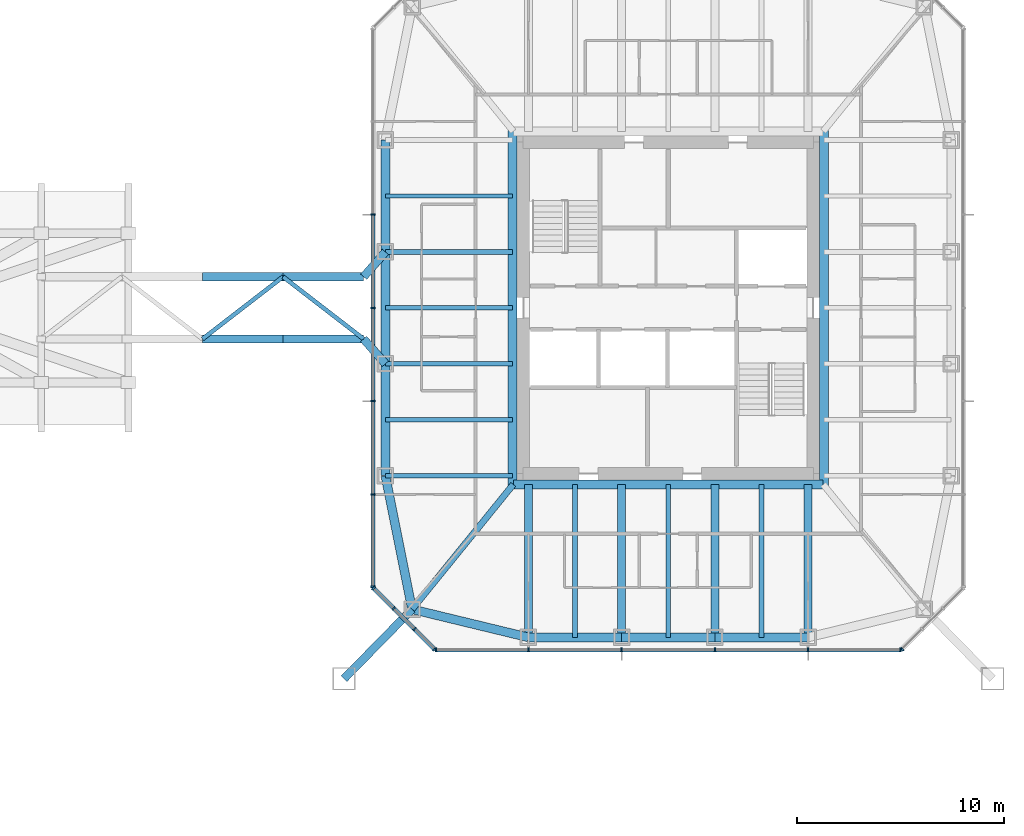
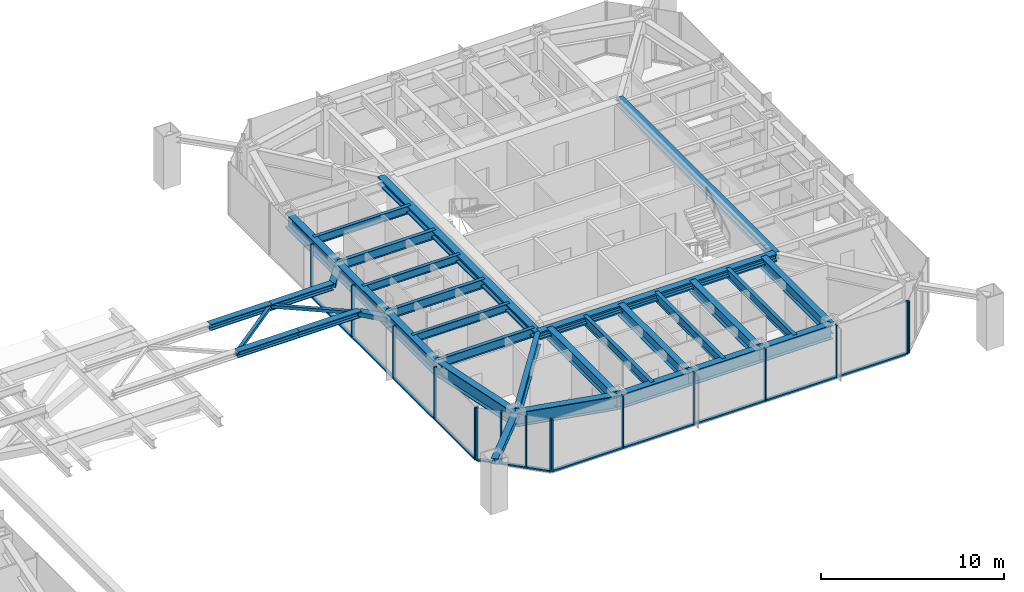
# One storey, part 8 of 26: 37 members, 25 beams, 4 elements without a shape of their own.
"""IFC4 building model written with IfcOpenShell, lengths in metres."""

from ifc_helpers import new_model, si_unit, direction, frame, origin, origin_2d, place, context, subcontext, project, spatial, rectangle, hollow_rectangle, i_section, extrude, material, material_profile, profile_set, type_object, element, aggregate, save


model = new_model("IFC4")

# Units and contexts
model_context = context("Model", 3, precision=1e-05, world=origin(), true_north=direction((0.0, 1.0)))
body_context = subcontext(model_context, "Body", "Model", "MODEL_VIEW")
ifc_project = project(units=[si_unit("LENGTHUNIT", "METRE"), si_unit("AREAUNIT", "SQUARE_METRE"), si_unit("VOLUMEUNIT", "CUBIC_METRE"), si_unit("PLANEANGLEUNIT", "RADIAN"), si_unit("MASSUNIT", "GRAM", prefix="KILO")], contexts=[model_context])

# Site, building, storey
site_placement = place(None, origin())
site = spatial("IfcSite", under=ifc_project, at=site_placement, CompositionType="ELEMENT")
building_placement = place(site_placement, origin())
building = spatial("IfcBuilding", under=site, at=building_placement, Name="Iwan Alto Co-Living Towers", CompositionType="ELEMENT")
storey_placement = place(building_placement, frame((0.0, 0.0, 126.0)))
storey = spatial("IfcBuildingStorey", under=building, at=storey_placement, Name="L34", CompositionType="ELEMENT", Elevation=126.0)

# Members
ifc_material_1 = material(Name="Steel ASTM A36", Category="steel")
ifc_material_profile_1 = material_profile(ifc_material_1, rectangle(XDim=0.39990234375, YDim=0.300048828125, at=origin_2d()), Name="BEARING 400X300")
ifc_profile_set_1 = profile_set([ifc_material_profile_1], Name="Steel ASTM A36")
member_type_1 = type_object("IfcMemberType", Name="BRIDGE BEARING", PredefinedType="USERDEFINED", material=ifc_profile_set_1)
for number, where, z_axis, x_axis, name in (
    (1, (48.300048828125, -1.5, 2.720947265625), (0.658537126736, -0.752548239457, 0.0), (0.752548239457, 0.658537126736, 0.0), "BR2 pinned bearing T2 S"),
    (2, (48.300048828125, 1.5, 2.720947265625), (0.658537126736, 0.752548239457, 0.0), (-0.752548239457, 0.658537126736, 0.0), "BR2 pinned bearing T2 N"),
):
    element("IfcMember", number, at=place(storey_placement, frame(where, z_axis=z_axis, x_axis=x_axis)), inside=storey, type_object=member_type_1, Name=name, ObjectType="BEARING", PredefinedType="USERDEFINED", context=body_context, shape_type="SweptSolid", body=[
        extrude(rectangle(XDim=0.39990234375, YDim=0.300048828125, at=origin_2d()), origin(), (0.0, 0.0, 1.0), 1.594482421875),
    ])
ifc_material_2 = material(Name="Steel ASTM A500 Gr C", Category="steel")
ifc_material_profile_2 = material_profile(ifc_material_2, hollow_rectangle(XDim=0.203125, YDim=0.203125, WallThickness=0.01171875, at=origin_2d()), Name="HSS8X8X1/2")
ifc_profile_set_2 = profile_set([ifc_material_profile_2], Name="Steel ASTM A500 Gr C")
member_type_2 = type_object("IfcMemberType", Name="BRIDGE PLAN BRACE HSS8X8X1/2", PredefinedType="BRACE", material=ifc_profile_set_2)
member_1_placement = place(storey_placement, frame((40.52490234375, -1.5, 2.720947265625), z_axis=(0.791691565695, 0.61092099719, 0.0), x_axis=(-0.61092099719, 0.791691565695, 0.0)))
element("IfcMember", 3, at=member_1_placement, inside=storey, type_object=member_type_2, Name="BR2 plan brace 3", PredefinedType="BRACE", context=body_context, shape_type="SweptSolid", body=[
    extrude(hollow_rectangle(XDim=0.203125, YDim=0.203125, WallThickness=0.01171875, at=origin_2d()), origin(), (0.0, 0.0, 1.0), 4.91064453125),
])
member_2_placement = place(storey_placement, frame((44.41259765625, 1.5, 2.720947265625), z_axis=(0.791673009044, -0.61094504397, 0.0), x_axis=(0.61094504397, 0.791673009044, 0.0)))
element("IfcMember", 4, at=member_2_placement, inside=storey, type_object=member_type_2, Name="BR2 plan brace 4", PredefinedType="BRACE", context=body_context, shape_type="SweptSolid", body=[
    extrude(hollow_rectangle(XDim=0.203125, YDim=0.203125, WallThickness=0.01171875, at=origin_2d()), origin(), (0.0, 0.0, 1.0), 4.910400390625),
])
ifc_material_3 = material(Name="Steel ASTM A992 Gr 50", Category="steel")
ifc_material_profile_3 = material_profile(ifc_material_3, i_section(OverallWidth=0.40380859375, OverallDepth=0.406494140625, WebThickness=0.027099609375, FlangeThickness=0.043701171875, at=origin_2d()), Name="W14X233")
ifc_profile_set_3 = profile_set([ifc_material_profile_3], Name="Steel ASTM A992 Gr 50")
member_type_3 = type_object("IfcMemberType", Name="BRIDGE TRUSS CHORD W14X233", PredefinedType="CHORD", material=ifc_profile_set_3)
member_3_placement = place(storey_placement, frame((40.52490234375, -1.5, 2.720947265625), z_axis=(1.0, 0.0, 0.0), x_axis=(0.0, 1.0, 0.0)))
element("IfcMember", 5, at=member_3_placement, inside=storey, type_object=member_type_3, Name="BR2 truss S bottom chord 3", PredefinedType="CHORD", context=body_context, shape_type="SweptSolid", body=[
    extrude(i_section(OverallWidth=0.40380859375, OverallDepth=0.406494140625, WebThickness=0.027099609375, FlangeThickness=0.043701171875, at=origin_2d()), origin(), (0.0, 0.0, 1.0), 3.8876953125),
])
member_4_placement = place(storey_placement, frame((44.41259765625, -1.5, 2.720947265625), z_axis=(1.0, 0.0, 0.0), x_axis=(0.0, 1.0, 0.0)))
element("IfcMember", 6, at=member_4_placement, inside=storey, type_object=member_type_3, Name="BR2 truss S bottom chord 4", PredefinedType="CHORD", context=body_context, shape_type="SweptSolid", body=[
    extrude(i_section(OverallWidth=0.40380859375, OverallDepth=0.406494140625, WebThickness=0.027099609375, FlangeThickness=0.043701171875, at=origin_2d()), origin(), (0.0, 0.0, 1.0), 3.887451171875),
])
member_5_placement = place(storey_placement, frame((40.52490234375, 1.5, 2.720947265625), z_axis=(1.0, 0.0, 0.0), x_axis=(0.0, 1.0, 0.0)))
element("IfcMember", 7, at=member_5_placement, inside=storey, type_object=member_type_3, Name="BR2 truss N bottom chord 3", PredefinedType="CHORD", context=body_context, shape_type="SweptSolid", body=[
    extrude(i_section(OverallWidth=0.40380859375, OverallDepth=0.406494140625, WebThickness=0.027099609375, FlangeThickness=0.043701171875, at=origin_2d()), origin(), (0.0, 0.0, 1.0), 3.8876953125),
])
member_6_placement = place(storey_placement, frame((44.41259765625, 1.5, 2.720947265625), z_axis=(1.0, 0.0, 0.0), x_axis=(0.0, 1.0, 0.0)))
element("IfcMember", 8, at=member_6_placement, inside=storey, type_object=member_type_3, Name="BR2 truss N bottom chord 4", PredefinedType="CHORD", context=body_context, shape_type="SweptSolid", body=[
    extrude(i_section(OverallWidth=0.40380859375, OverallDepth=0.406494140625, WebThickness=0.027099609375, FlangeThickness=0.043701171875, at=origin_2d()), origin(), (0.0, 0.0, 1.0), 3.887451171875),
])

# Curtain wall, members
ifc_material_4 = material(Name="Bronze aluminium unitised frame", Category="aluminium")
curtain_wall_type_1 = type_object("IfcCurtainWallType", Name="CURTAIN WALL CW-C", PredefinedType="NOTDEFINED", material=ifc_material_4)
curtain_wall_1_placement = place(storey_placement, origin())
curtain_wall_1 = element("IfcCurtainWall", 9, at=curtain_wall_1_placement, inside=storey, type_object=curtain_wall_type_1, Name="T2 curtain wall S L34", PredefinedType="NOTDEFINED")
ifc_material_5 = material(Name="Aluminium 6063-T6 bronze anodised", Category="aluminium")
ifc_material_profile_4 = material_profile(ifc_material_5, rectangle(XDim=0.199951171875, YDim=0.080078125, at=origin_2d()), Name="AL 80X200")
ifc_profile_set_4 = profile_set([ifc_material_profile_4], Name="Aluminium 6063-T6 bronze anodised")
member_type_4 = type_object("IfcMemberType", Name="CW-C MULLION 80X200", PredefinedType="MULLION", material=ifc_profile_set_4)
member_7_placement = place(storey_placement, frame((51.7900390625, -16.5, 0.0), z_axis=(0.0, 0.0, 1.0), x_axis=(0.0, 1.0, 0.0)))
member_7 = element("IfcMember", 10, at=member_7_placement, type_object=member_type_4, Name="CW-C mullion 1", PredefinedType="MULLION", context=body_context, shape_type="SweptSolid", body=[
    extrude(rectangle(XDim=0.199951171875, YDim=0.080078125, at=origin_2d()), origin(), (0.0, 0.0, 1.0), 3.5),
])
member_8_placement = place(storey_placement, frame((56.25, -16.5, 0.0), z_axis=(0.0, 0.0, 1.0), x_axis=(0.0, 1.0, 0.0)))
member_8 = element("IfcMember", 11, at=member_8_placement, type_object=member_type_4, Name="CW-C mullion 2", PredefinedType="MULLION", context=body_context, shape_type="SweptSolid", body=[
    extrude(rectangle(XDim=0.199951171875, YDim=0.080078125, at=origin_2d()), origin(), (0.0, 0.0, 1.0), 3.5),
])
member_9_placement = place(storey_placement, frame((60.75, -16.5, 0.0), z_axis=(0.0, 0.0, 1.0), x_axis=(0.0, 1.0, 0.0)))
member_9 = element("IfcMember", 12, at=member_9_placement, type_object=member_type_4, Name="CW-C mullion 3", PredefinedType="MULLION", context=body_context, shape_type="SweptSolid", body=[
    extrude(rectangle(XDim=0.199951171875, YDim=0.080078125, at=origin_2d()), origin(), (0.0, 0.0, 1.0), 3.5),
])
member_10_placement = place(storey_placement, frame((65.25, -16.5, 0.0), z_axis=(0.0, 0.0, 1.0), x_axis=(0.0, 1.0, 0.0)))
member_10 = element("IfcMember", 13, at=member_10_placement, type_object=member_type_4, Name="CW-C mullion 4", PredefinedType="MULLION", context=body_context, shape_type="SweptSolid", body=[
    extrude(rectangle(XDim=0.199951171875, YDim=0.080078125, at=origin_2d()), origin(), (0.0, 0.0, 1.0), 3.5),
])
member_11_placement = place(storey_placement, frame((69.75, -16.5, 0.0), z_axis=(0.0, 0.0, 1.0), x_axis=(0.0, 1.0, 0.0)))
member_11 = element("IfcMember", 14, at=member_11_placement, type_object=member_type_4, Name="CW-C mullion 5", PredefinedType="MULLION", context=body_context, shape_type="SweptSolid", body=[
    extrude(rectangle(XDim=0.199951171875, YDim=0.080078125, at=origin_2d()), origin(), (0.0, 0.0, 1.0), 3.5),
])
member_12_placement = place(storey_placement, frame((74.2099609375, -16.5, 0.0), z_axis=(0.0, 0.0, 1.0), x_axis=(0.0, 1.0, 0.0)))
member_12 = element("IfcMember", 15, at=member_12_placement, type_object=member_type_4, Name="CW-C mullion 6", PredefinedType="MULLION", context=body_context, shape_type="SweptSolid", body=[
    extrude(rectangle(XDim=0.199951171875, YDim=0.080078125, at=origin_2d()), origin(), (0.0, 0.0, 1.0), 3.5),
])

curtain_wall_2_placement = place(storey_placement, origin())
curtain_wall_2 = element("IfcCurtainWall", 16, at=curtain_wall_2_placement, inside=storey, type_object=curtain_wall_type_1, Name="T2 curtain wall W L34", PredefinedType="NOTDEFINED")
member_13_placement = place(storey_placement, frame((48.75, 4.5, 0.0), z_axis=(0.0, 0.0, 1.0), x_axis=(1.0, 0.0, 0.0)))
member_13 = element("IfcMember", 17, at=member_13_placement, type_object=member_type_4, Name="CW-C mullion 3", PredefinedType="MULLION", context=body_context, shape_type="SweptSolid", body=[
    extrude(rectangle(XDim=0.199951171875, YDim=0.080078125, at=origin_2d()), origin(), (0.0, 0.0, 1.0), 3.5),
])
member_14_placement = place(storey_placement, frame((48.75, 0.0, 0.0), z_axis=(0.0, 0.0, 1.0), x_axis=(1.0, 0.0, 0.0)))
member_14 = element("IfcMember", 18, at=member_14_placement, type_object=member_type_4, Name="CW-C mullion 4", PredefinedType="MULLION", context=body_context, shape_type="SweptSolid", body=[
    extrude(rectangle(XDim=0.199951171875, YDim=0.080078125, at=origin_2d()), origin(), (0.0, 0.0, 1.0), 3.5),
])
member_15_placement = place(storey_placement, frame((48.75, -4.5, 0.0), z_axis=(0.0, 0.0, 1.0), x_axis=(1.0, 0.0, 0.0)))
member_15 = element("IfcMember", 19, at=member_15_placement, type_object=member_type_4, Name="CW-C mullion 5", PredefinedType="MULLION", context=body_context, shape_type="SweptSolid", body=[
    extrude(rectangle(XDim=0.199951171875, YDim=0.080078125, at=origin_2d()), origin(), (0.0, 0.0, 1.0), 3.5),
])
member_16_placement = place(storey_placement, frame((48.75, -9.0, 0.0), z_axis=(0.0, 0.0, 1.0), x_axis=(1.0, 0.0, 0.0)))
member_16 = element("IfcMember", 20, at=member_16_placement, type_object=member_type_4, Name="CW-C mullion 6", PredefinedType="MULLION", context=body_context, shape_type="SweptSolid", body=[
    extrude(rectangle(XDim=0.199951171875, YDim=0.080078125, at=origin_2d()), origin(), (0.0, 0.0, 1.0), 3.5),
])
member_17_placement = place(storey_placement, frame((48.75, -13.4599609375, 0.0), z_axis=(0.0, 0.0, 1.0), x_axis=(1.0, 0.0, 0.0)))
member_17 = element("IfcMember", 21, at=member_17_placement, type_object=member_type_4, Name="CW-C mullion 7", PredefinedType="MULLION", context=body_context, shape_type="SweptSolid", body=[
    extrude(rectangle(XDim=0.199951171875, YDim=0.080078125, at=origin_2d()), origin(), (0.0, 0.0, 1.0), 3.5),
])

# Member
ifc_material_6 = material(Name="Aluminium 6063-T6 bronze anodised", Category="aluminium")
ifc_material_profile_5 = material_profile(ifc_material_6, rectangle(XDim=0.199951171875, YDim=0.10009765625, at=origin_2d()), Name="AL 200X100")
ifc_profile_set_5 = profile_set([ifc_material_profile_5], Name="Aluminium 6063-T6 bronze anodised")
member_type_5 = type_object("IfcMemberType", Name="CW-C TRANSOM 200X100", PredefinedType="USERDEFINED", material=ifc_profile_set_5)
member_18_placement = place(storey_placement, frame((51.830078125, -16.5, 0.050048828125), z_axis=(1.0, 0.0, 0.0), x_axis=(0.0, 1.0, 0.0)))
member_18 = element("IfcMember", 22, at=member_18_placement, type_object=member_type_5, Name="CW-C transom 1.1", ObjectType="TRANSOM", PredefinedType="USERDEFINED", context=body_context, shape_type="SweptSolid", body=[
    extrude(rectangle(XDim=0.199951171875, YDim=0.10009765625, at=origin_2d()), origin(), (0.0, 0.0, 1.0), 4.3798828125),
])

member_19_placement = place(storey_placement, frame((56.2900390625, -16.5, 0.050048828125), z_axis=(1.0, 0.0, 0.0), x_axis=(0.0, 1.0, 0.0)))
member_19 = element("IfcMember", 23, at=member_19_placement, type_object=member_type_5, Name="CW-C transom 2.1", ObjectType="TRANSOM", PredefinedType="USERDEFINED", context=body_context, shape_type="SweptSolid", body=[
    extrude(rectangle(XDim=0.199951171875, YDim=0.10009765625, at=origin_2d()), origin(), (0.0, 0.0, 1.0), 4.419921875),
])

member_20_placement = place(storey_placement, frame((60.7900390625, -16.5, 0.050048828125), z_axis=(1.0, 0.0, 0.0), x_axis=(0.0, 1.0, 0.0)))
member_20 = element("IfcMember", 24, at=member_20_placement, type_object=member_type_5, Name="CW-C transom 3.1", ObjectType="TRANSOM", PredefinedType="USERDEFINED", context=body_context, shape_type="SweptSolid", body=[
    extrude(rectangle(XDim=0.199951171875, YDim=0.10009765625, at=origin_2d()), origin(), (0.0, 0.0, 1.0), 4.419921875),
])

member_21_placement = place(storey_placement, frame((65.2900390625, -16.5, 0.050048828125), z_axis=(1.0, 0.0, 0.0), x_axis=(0.0, 1.0, 0.0)))
member_21 = element("IfcMember", 25, at=member_21_placement, type_object=member_type_5, Name="CW-C transom 4.1", ObjectType="TRANSOM", PredefinedType="USERDEFINED", context=body_context, shape_type="SweptSolid", body=[
    extrude(rectangle(XDim=0.199951171875, YDim=0.10009765625, at=origin_2d()), origin(), (0.0, 0.0, 1.0), 4.419921875),
])

member_22_placement = place(storey_placement, frame((69.7900390625, -16.5, 0.050048828125), z_axis=(1.0, 0.0, 0.0), x_axis=(0.0, 1.0, 0.0)))
member_22 = element("IfcMember", 26, at=member_22_placement, type_object=member_type_5, Name="CW-C transom 5.1", ObjectType="TRANSOM", PredefinedType="USERDEFINED", context=body_context, shape_type="SweptSolid", body=[
    extrude(rectangle(XDim=0.199951171875, YDim=0.10009765625, at=origin_2d()), origin(), (0.0, 0.0, 1.0), 4.3798828125),
])

aggregate(curtain_wall_1, [member_7, member_8, member_9, member_10, member_11, member_12, member_18, member_19, member_20, member_21, member_22])

member_23_placement = place(storey_placement, frame((48.75, 4.4599609375, 0.050048828125), z_axis=(0.0, -1.0, 0.0), x_axis=(1.0, 0.0, 0.0)))
member_23 = element("IfcMember", 27, at=member_23_placement, type_object=member_type_5, Name="CW-C transom 3.1", ObjectType="TRANSOM", PredefinedType="USERDEFINED", context=body_context, shape_type="SweptSolid", body=[
    extrude(rectangle(XDim=0.199951171875, YDim=0.10009765625, at=origin_2d()), origin(), (0.0, 0.0, 1.0), 4.419921875),
])

member_24_placement = place(storey_placement, frame((48.75, -0.0400390625, 0.050048828125), z_axis=(0.0, -1.0, 0.0), x_axis=(1.0, 0.0, 0.0)))
member_24 = element("IfcMember", 28, at=member_24_placement, type_object=member_type_5, Name="CW-C transom 4.1", ObjectType="TRANSOM", PredefinedType="USERDEFINED", context=body_context, shape_type="SweptSolid", body=[
    extrude(rectangle(XDim=0.199951171875, YDim=0.10009765625, at=origin_2d()), origin(), (0.0, 0.0, 1.0), 4.419921875),
])

member_25_placement = place(storey_placement, frame((48.75, -4.5400390625, 0.050048828125), z_axis=(0.0, -1.0, 0.0), x_axis=(1.0, 0.0, 0.0)))
member_25 = element("IfcMember", 29, at=member_25_placement, type_object=member_type_5, Name="CW-C transom 5.1", ObjectType="TRANSOM", PredefinedType="USERDEFINED", context=body_context, shape_type="SweptSolid", body=[
    extrude(rectangle(XDim=0.199951171875, YDim=0.10009765625, at=origin_2d()), origin(), (0.0, 0.0, 1.0), 4.419921875),
])

member_26_placement = place(storey_placement, frame((48.75, -9.0400390625, 0.050048828125), z_axis=(0.0, -1.0, 0.0), x_axis=(1.0, 0.0, 0.0)))
member_26 = element("IfcMember", 30, at=member_26_placement, type_object=member_type_5, Name="CW-C transom 6.1", ObjectType="TRANSOM", PredefinedType="USERDEFINED", context=body_context, shape_type="SweptSolid", body=[
    extrude(rectangle(XDim=0.199951171875, YDim=0.10009765625, at=origin_2d()), origin(), (0.0, 0.0, 1.0), 4.3798828125),
])

aggregate(curtain_wall_2, [member_13, member_14, member_15, member_16, member_17, member_23, member_24, member_25, member_26])

# Curtain wall, member
ifc_material_7 = material(Name="Bronze aluminium unitised frame", Category="aluminium")
curtain_wall_type_2 = type_object("IfcCurtainWallType", Name="CURTAIN WALL CW-D", PredefinedType="NOTDEFINED", material=ifc_material_7)
curtain_wall_3_placement = place(storey_placement, origin())
curtain_wall_3 = element("IfcCurtainWall", 31, at=curtain_wall_3_placement, inside=storey, type_object=curtain_wall_type_2, Name="T2 chamfer curtain wall SE L34", PredefinedType="NOTDEFINED")
ifc_material_8 = material(Name="Aluminium 6063-T6 bronze anodised", Category="aluminium")
ifc_material_profile_6 = material_profile(ifc_material_8, rectangle(XDim=0.199951171875, YDim=0.080078125, at=origin_2d()), Name="AL 80X200")
ifc_profile_set_6 = profile_set([ifc_material_profile_6], Name="Aluminium 6063-T6 bronze anodised")
member_type_6 = type_object("IfcMemberType", Name="CW-D MULLION 80X200", PredefinedType="MULLION", material=ifc_profile_set_6)
member_27_placement = place(storey_placement, frame((74.2783203125, -16.4716796875, 0.0), z_axis=(0.0, 0.0, 1.0), x_axis=(-0.707106781187, 0.707106781187, 0.0)))
member_27 = element("IfcMember", 32, at=member_27_placement, type_object=member_type_6, Name="CW-D mullion 1", PredefinedType="MULLION", context=body_context, shape_type="SweptSolid", body=[
    extrude(rectangle(XDim=0.199951171875, YDim=0.080078125, at=origin_2d()), origin(), (0.0, 0.0, 1.0), 3.5),
])
aggregate(curtain_wall_3, [member_27])

# Curtain wall, members
curtain_wall_4_placement = place(storey_placement, origin())
curtain_wall_4 = element("IfcCurtainWall", 33, at=curtain_wall_4_placement, inside=storey, type_object=curtain_wall_type_2, Name="T2 chamfer curtain wall SW L34", PredefinedType="NOTDEFINED")
member_28_placement = place(storey_placement, frame((48.7783203125, -13.5283203125, 0.0), z_axis=(0.0, 0.0, 1.0), x_axis=(0.707106781187, 0.707106781187, 0.0)))
member_28 = element("IfcMember", 34, at=member_28_placement, type_object=member_type_6, Name="CW-D mullion 1", PredefinedType="MULLION", context=body_context, shape_type="SweptSolid", body=[
    extrude(rectangle(XDim=0.199951171875, YDim=0.080078125, at=origin_2d()), origin(), (0.0, 0.0, 1.0), 3.5),
])
member_29_placement = place(storey_placement, frame((49.75, -14.5, 0.0), z_axis=(0.0, 0.0, 1.0), x_axis=(0.707106781187, 0.707106781187, 0.0)))
member_29 = element("IfcMember", 35, at=member_29_placement, type_object=member_type_6, Name="CW-D mullion 2", PredefinedType="MULLION", context=body_context, shape_type="SweptSolid", body=[
    extrude(rectangle(XDim=0.199951171875, YDim=0.080078125, at=origin_2d()), origin(), (0.0, 0.0, 1.0), 3.5),
])
member_30_placement = place(storey_placement, frame((50.75, -15.5, 0.0), z_axis=(0.0, 0.0, 1.0), x_axis=(0.707106781187, 0.707106781187, 0.0)))
member_30 = element("IfcMember", 36, at=member_30_placement, type_object=member_type_6, Name="CW-D mullion 3", PredefinedType="MULLION", context=body_context, shape_type="SweptSolid", body=[
    extrude(rectangle(XDim=0.199951171875, YDim=0.080078125, at=origin_2d()), origin(), (0.0, 0.0, 1.0), 3.5),
])
member_31_placement = place(storey_placement, frame((51.7216796875, -16.4716796875, 0.0), z_axis=(0.0, 0.0, 1.0), x_axis=(0.707106781187, 0.707106781187, 0.0)))
member_31 = element("IfcMember", 37, at=member_31_placement, type_object=member_type_6, Name="CW-D mullion 4", PredefinedType="MULLION", context=body_context, shape_type="SweptSolid", body=[
    extrude(rectangle(XDim=0.199951171875, YDim=0.080078125, at=origin_2d()), origin(), (0.0, 0.0, 1.0), 3.5),
])
ifc_material_9 = material(Name="Aluminium 6063-T6 bronze anodised", Category="aluminium")
ifc_material_profile_7 = material_profile(ifc_material_9, rectangle(XDim=0.199951171875, YDim=0.10009765625, at=origin_2d()), Name="AL 200X100")
ifc_profile_set_7 = profile_set([ifc_material_profile_7], Name="Aluminium 6063-T6 bronze anodised")
member_type_7 = type_object("IfcMemberType", Name="CW-D TRANSOM 200X100", PredefinedType="USERDEFINED", material=ifc_profile_set_7)
member_32_placement = place(storey_placement, frame((48.806640625, -13.556640625, 0.050048828125), z_axis=(0.707106781187, -0.707106781187, 0.0), x_axis=(0.707106781187, 0.707106781187, 0.0)))
member_32 = element("IfcMember", 38, at=member_32_placement, type_object=member_type_7, Name="CW-D transom 1.1", ObjectType="TRANSOM", PredefinedType="USERDEFINED", context=body_context, shape_type="SweptSolid", body=[
    extrude(rectangle(XDim=0.199951171875, YDim=0.10009765625, at=origin_2d()), origin(), (0.0, 0.0, 1.0), 1.2939453125),
])
member_33_placement = place(storey_placement, frame((49.7783203125, -14.5283203125, 0.050048828125), z_axis=(0.707106781187, -0.707106781187, 0.0), x_axis=(0.707106781187, 0.707106781187, 0.0)))
member_33 = element("IfcMember", 39, at=member_33_placement, type_object=member_type_7, Name="CW-D transom 2.1", ObjectType="TRANSOM", PredefinedType="USERDEFINED", context=body_context, shape_type="SweptSolid", body=[
    extrude(rectangle(XDim=0.199951171875, YDim=0.10009765625, at=origin_2d()), origin(), (0.0, 0.0, 1.0), 1.334228515625),
])
member_34_placement = place(storey_placement, frame((50.7783203125, -15.5283203125, 0.050048828125), z_axis=(0.707106781187, -0.707106781187, 0.0), x_axis=(0.707106781187, 0.707106781187, 0.0)))
member_34 = element("IfcMember", 40, at=member_34_placement, type_object=member_type_7, Name="CW-D transom 3.1", ObjectType="TRANSOM", PredefinedType="USERDEFINED", context=body_context, shape_type="SweptSolid", body=[
    extrude(rectangle(XDim=0.199951171875, YDim=0.10009765625, at=origin_2d()), origin(), (0.0, 0.0, 1.0), 1.2939453125),
])
aggregate(curtain_wall_4, [member_28, member_29, member_30, member_31, member_32, member_33, member_34])

# Beams
ifc_material_10 = material(Name="Steel ASTM A992 Gr 50", Category="steel")
ifc_material_profile_8 = material_profile(ifc_material_10, i_section(OverallWidth=0.436767578125, OverallDepth=0.51318359375, WebThickness=0.060546875, FlangeThickness=0.096923828125, at=origin_2d()), Name="W14X550")
ifc_profile_set_8 = profile_set([ifc_material_profile_8], Name="Steel ASTM A992 Gr 50")
beam_type_1 = type_object("IfcBeamType", Name="T2 CORE LEDGER BEAM W14X550", PredefinedType="BEAM", material=ifc_profile_set_8)
beam_1_placement = place(storey_placement, frame((55.52294921875, -8.5185546875, 2.993408203125), z_axis=(1.0, 0.0, 0.0), x_axis=(0.0, 1.0, 0.0)))
element("IfcBeam", 41, at=beam_1_placement, inside=storey, type_object=beam_type_1, Name="T2 core ledger beam S L35", PredefinedType="BEAM", context=body_context, shape_type="SweptSolid", body=[
    extrude(i_section(OverallWidth=0.436767578125, OverallDepth=0.51318359375, WebThickness=0.060546875, FlangeThickness=0.096923828125, at=origin_2d()), origin(), (0.0, 0.0, 1.0), 14.9541015625),
])
for number, where, z_axis, x_axis, name in (
    (42, (70.5185546875, -8.5693359375, 2.993408203125), (0.0, 1.0, 0.0), (-1.0, 0.0, 0.0), "T2 core ledger beam E L35"),
    (43, (55.4814453125, 8.5693359375, 2.993408203125), (0.0, -1.0, 0.0), (1.0, 0.0, 0.0), "T2 core ledger beam W L35"),
):
    element("IfcBeam", number, at=place(storey_placement, frame(where, z_axis=z_axis, x_axis=x_axis)), inside=storey, type_object=beam_type_1, Name=name, PredefinedType="BEAM", context=body_context, shape_type="SweptSolid", body=[
        extrude(i_section(OverallWidth=0.436767578125, OverallDepth=0.51318359375, WebThickness=0.060546875, FlangeThickness=0.096923828125, at=origin_2d()), origin(), (0.0, 0.0, 1.0), 17.138671875),
    ])
ifc_material_11 = material(Name="Steel ASTM A992 Gr 50", Category="steel")
ifc_material_profile_9 = material_profile(ifc_material_11, i_section(OverallWidth=0.307373046875, OverallDepth=0.927001953125, WebThickness=0.01953125, FlangeThickness=0.031982421875, at=origin_2d()), Name="W36X194")
ifc_profile_set_9 = profile_set([ifc_material_profile_9], Name="Steel ASTM A992 Gr 50")
beam_type_2 = type_object("IfcBeamType", Name="T2 CORNER GIRDER W36X194", PredefinedType="BEAM", material=ifc_profile_set_9)
beam_2_placement = place(storey_placement, frame((50.638671875, -14.542724609375, 2.786376953125), z_axis=(0.629787584927, 0.776767402683, 0.0), x_axis=(-0.776767402683, 0.629787584927, 0.0)))
element("IfcBeam", 44, at=beam_2_placement, inside=storey, type_object=beam_type_2, Name="T2 corner girder CSW L35", PredefinedType="BEAM", context=body_context, shape_type="SweptSolid", body=[
    extrude(i_section(OverallWidth=0.307373046875, OverallDepth=0.927001953125, WebThickness=0.01953125, FlangeThickness=0.031982421875, at=origin_2d()), origin(), (0.0, 0.0, 1.0), 7.75537109375),
])
ifc_material_12 = material(Name="Steel ASTM A992 Gr 50", Category="steel")
ifc_material_profile_10 = material_profile(ifc_material_12, i_section(OverallWidth=0.424072265625, OverallDepth=0.947509765625, WebThickness=0.02392578125, FlangeThickness=0.042724609375, at=origin_2d()), Name="W36X302")
ifc_profile_set_10 = profile_set([ifc_material_profile_10], Name="Steel ASTM A992 Gr 50")
beam_type_3 = type_object("IfcBeamType", Name="T2 EDGE BEAM W36X302", PredefinedType="BEAM", material=ifc_profile_set_10)
beam_3_placement = place(storey_placement, frame((50.638671875, -14.542724609375, 2.7763671875), z_axis=(0.971974673138, -0.235085590323, 0.0), x_axis=(0.235085590323, 0.971974673138, 0.0)))
element("IfcBeam", 45, at=beam_3_placement, inside=storey, type_object=beam_type_3, Name="T2 edge beam CSW L35", PredefinedType="BEAM", context=body_context, shape_type="SweptSolid", body=[
    extrude(i_section(OverallWidth=0.424072265625, OverallDepth=0.947509765625, WebThickness=0.02392578125, FlangeThickness=0.042724609375, at=origin_2d()), origin(), (0.0, 0.0, 1.0), 5.773193359375),
])
for number, where, z_axis, x_axis, name in (
    (46, (56.25, -15.89990234375, 2.7763671875), (1.0, 0.0, 0.0), (0.0, 1.0, 0.0), "T2 edge beam S1 L35"),
    (47, (60.75, -15.89990234375, 2.7763671875), (1.0, 0.0, 0.0), (0.0, 1.0, 0.0), "T2 edge beam S2 L35"),
    (48, (65.25, -15.89990234375, 2.7763671875), (1.0, 0.0, 0.0), (0.0, 1.0, 0.0), "T2 edge beam S3 L35"),
):
    element("IfcBeam", number, at=place(storey_placement, frame(where, z_axis=z_axis, x_axis=x_axis)), inside=storey, type_object=beam_type_3, Name=name, PredefinedType="BEAM", context=body_context, shape_type="SweptSolid", body=[
        extrude(i_section(OverallWidth=0.424072265625, OverallDepth=0.947509765625, WebThickness=0.02392578125, FlangeThickness=0.042724609375, at=origin_2d()), origin(), (0.0, 0.0, 1.0), 4.5),
    ])
beam_4_placement = place(storey_placement, frame((49.35009765625, 8.10009765625, 2.7763671875), z_axis=(0.0, -1.0, 0.0), x_axis=(1.0, 0.0, 0.0)))
element("IfcBeam", 49, at=beam_4_placement, inside=storey, type_object=beam_type_3, Name="T2 edge beam W1 L35", PredefinedType="BEAM", context=body_context, shape_type="SweptSolid", body=[
    extrude(i_section(OverallWidth=0.424072265625, OverallDepth=0.947509765625, WebThickness=0.02392578125, FlangeThickness=0.042724609375, at=origin_2d()), origin(), (0.0, 0.0, 1.0), 5.400146484375),
])
beam_5_placement = place(storey_placement, frame((49.35009765625, 2.699951171875, 2.7763671875), z_axis=(0.0, -1.0, 0.0), x_axis=(1.0, 0.0, 0.0)))
element("IfcBeam", 50, at=beam_5_placement, inside=storey, type_object=beam_type_3, Name="T2 edge beam W2 L35", PredefinedType="BEAM", context=body_context, shape_type="SweptSolid", body=[
    extrude(i_section(OverallWidth=0.424072265625, OverallDepth=0.947509765625, WebThickness=0.02392578125, FlangeThickness=0.042724609375, at=origin_2d()), origin(), (0.0, 0.0, 1.0), 5.39990234375),
])
beam_6_placement = place(storey_placement, frame((49.35009765625, -2.699951171875, 2.7763671875), z_axis=(0.0, -1.0, 0.0), x_axis=(1.0, 0.0, 0.0)))
element("IfcBeam", 51, at=beam_6_placement, inside=storey, type_object=beam_type_3, Name="T2 edge beam W3 L35", PredefinedType="BEAM", context=body_context, shape_type="SweptSolid", body=[
    extrude(i_section(OverallWidth=0.424072265625, OverallDepth=0.947509765625, WebThickness=0.02392578125, FlangeThickness=0.042724609375, at=origin_2d()), origin(), (0.0, 0.0, 1.0), 5.400146484375),
])
beam_7_placement = place(storey_placement, frame((49.35009765625, -8.10009765625, 2.7763671875), z_axis=(0.196123281025, -0.980579246487, 0.0), x_axis=(0.980579246487, 0.196123281025, 0.0)))
element("IfcBeam", 52, at=beam_7_placement, inside=storey, type_object=beam_type_3, Name="T2 edge beam W4 L35", PredefinedType="BEAM", context=body_context, shape_type="SweptSolid", body=[
    extrude(i_section(OverallWidth=0.424072265625, OverallDepth=0.947509765625, WebThickness=0.02392578125, FlangeThickness=0.042724609375, at=origin_2d()), origin(), (0.0, 0.0, 1.0), 6.5703125),
])

# Member
ifc_material_13 = material(Name="Steel ASTM A992 Gr 50", Category="steel")
ifc_material_profile_11 = material_profile(ifc_material_13, i_section(OverallWidth=0.393798828125, OverallDepth=0.3759765625, WebThickness=0.017333984375, FlangeThickness=0.027587890625, at=origin_2d()), Name="W14X145")
ifc_profile_set_11 = profile_set([ifc_material_profile_11], Name="Steel ASTM A992 Gr 50")
member_type_8 = type_object("IfcMemberType", Name="T2 MEGA COLUMN FLOOR TIE W14X145", PredefinedType="STRUT", material=ifc_profile_set_11)
member_35_placement = place(storey_placement, frame((47.35009765625, -17.89990234375, 3.06201171875), z_axis=(0.699770096147, 0.714368121166, 0.0), x_axis=(-0.714368121166, 0.699770096147, 0.0)))
element("IfcMember", 53, at=member_35_placement, inside=storey, type_object=member_type_8, Name="T2 mega column floor tie SW L35", PredefinedType="STRUT", context=body_context, shape_type="SweptSolid", body=[
    extrude(i_section(OverallWidth=0.393798828125, OverallDepth=0.3759765625, WebThickness=0.017333984375, FlangeThickness=0.027587890625, at=origin_2d()), origin(), (0.0, 0.0, 1.0), 4.699462890625),
])

# Beams
ifc_material_14 = material(Name="Steel ASTM A992 Gr 50", Category="steel")
ifc_material_profile_12 = material_profile(ifc_material_14, i_section(OverallWidth=0.228271484375, OverallDepth=0.607177734375, WebThickness=0.01123046875, FlangeThickness=0.017333984375, at=origin_2d()), Name="W24X76")
ifc_profile_set_12 = profile_set([ifc_material_profile_12], Name="Steel ASTM A992 Gr 50")
beam_type_4 = type_object("IfcBeamType", Name="T2 RADIAL BEAM W24X76", PredefinedType="BEAM", material=ifc_profile_set_12)
for number, where, z_axis, x_axis, name in (
    (54, (49.35009765625, 2.699951171875, 2.946533203125), (1.0, 0.0, 0.0), (0.0, 1.0, 0.0), "T2 radial beam W2 L35"),
    (55, (49.35009765625, -2.699951171875, 2.946533203125), (1.0, 0.0, 0.0), (0.0, 1.0, 0.0), "T2 radial beam W3 L35"),
    (56, (49.35009765625, -8.10009765625, 2.946533203125), (1.0, 0.0, 0.0), (0.0, 1.0, 0.0), "T2 radial beam W4 L35"),
):
    element("IfcBeam", number, at=place(storey_placement, frame(where, z_axis=z_axis, x_axis=x_axis)), inside=storey, type_object=beam_type_4, Name=name, PredefinedType="BEAM", context=body_context, shape_type="SweptSolid", body=[
        extrude(i_section(OverallWidth=0.228271484375, OverallDepth=0.607177734375, WebThickness=0.01123046875, FlangeThickness=0.017333984375, at=origin_2d()), origin(), (0.0, 0.0, 1.0), 6.13134765625),
    ])
ifc_material_15 = material(Name="Steel ASTM A992 Gr 50", Category="steel")
ifc_material_profile_13 = material_profile(ifc_material_15, i_section(OverallWidth=0.381103515625, OverallDepth=0.772216796875, WebThickness=0.0166015625, FlangeThickness=0.027099609375, at=origin_2d()), Name="W30X173")
ifc_profile_set_13 = profile_set([ifc_material_profile_13], Name="Steel ASTM A992 Gr 50")
beam_type_5 = type_object("IfcBeamType", Name="T2 RADIAL BEAM W30X173", PredefinedType="BEAM", material=ifc_profile_set_13)
for number, where, z_axis, x_axis, name in (
    (57, (56.25, -15.89990234375, 2.864013671875), (0.0, 1.0, 0.0), (-1.0, 0.0, 0.0), "T2 radial beam S1 L35"),
    (58, (60.75, -15.89990234375, 2.864013671875), (0.0, 1.0, 0.0), (-1.0, 0.0, 0.0), "T2 radial beam S2 L35"),
    (59, (65.25, -15.89990234375, 2.864013671875), (0.0, 1.0, 0.0), (-1.0, 0.0, 0.0), "T2 radial beam S3 L35"),
    (60, (69.75, -15.89990234375, 2.864013671875), (0.0, 1.0, 0.0), (-1.0, 0.0, 0.0), "T2 radial beam S4 L35"),
):
    element("IfcBeam", number, at=place(storey_placement, frame(where, z_axis=z_axis, x_axis=x_axis)), inside=storey, type_object=beam_type_5, Name=name, PredefinedType="BEAM", context=body_context, shape_type="SweptSolid", body=[
        extrude(i_section(OverallWidth=0.381103515625, OverallDepth=0.772216796875, WebThickness=0.0166015625, FlangeThickness=0.027099609375, at=origin_2d()), origin(), (0.0, 0.0, 1.0), 7.38134765625),
    ])
ifc_material_16 = material(Name="Steel ASTM A992 Gr 50", Category="steel")
ifc_material_profile_14 = material_profile(ifc_material_16, i_section(OverallWidth=0.209228515625, OverallDepth=0.533447265625, WebThickness=0.01025390625, FlangeThickness=0.015625, at=origin_2d()), Name="W21X62")
ifc_profile_set_14 = profile_set([ifc_material_profile_14], Name="Steel ASTM A992 Gr 50")
beam_type_6 = type_object("IfcBeamType", Name="T2 SECONDARY BEAM W21X62", PredefinedType="JOIST", material=ifc_profile_set_14)
for number, where, z_axis, x_axis, name in (
    (61, (49.35009765625, 5.39990234375, 2.9833984375), (1.0, 0.0, 0.0), (0.0, 1.0, 0.0), "T2 secondary beam W1 L35"),
    (62, (49.35009765625, 0.0, 2.9833984375), (1.0, 0.0, 0.0), (0.0, 1.0, 0.0), "T2 secondary beam W2 L35"),
    (63, (49.35009765625, -5.39990234375, 2.9833984375), (1.0, 0.0, 0.0), (0.0, 1.0, 0.0), "T2 secondary beam W3 L35"),
):
    element("IfcBeam", number, at=place(storey_placement, frame(where, z_axis=z_axis, x_axis=x_axis)), inside=storey, type_object=beam_type_6, Name=name, PredefinedType="JOIST", context=body_context, shape_type="SweptSolid", body=[
        extrude(i_section(OverallWidth=0.209228515625, OverallDepth=0.533447265625, WebThickness=0.01025390625, FlangeThickness=0.015625, at=origin_2d()), origin(), (0.0, 0.0, 1.0), 6.13134765625),
    ])
ifc_material_17 = material(Name="Steel ASTM A992 Gr 50", Category="steel")
ifc_material_profile_15 = material_profile(ifc_material_17, i_section(OverallWidth=0.228271484375, OverallDepth=0.607177734375, WebThickness=0.01123046875, FlangeThickness=0.017333984375, at=origin_2d()), Name="W24X76")
ifc_profile_set_15 = profile_set([ifc_material_profile_15], Name="Steel ASTM A992 Gr 50")
beam_type_7 = type_object("IfcBeamType", Name="T2 SECONDARY BEAM W24X76", PredefinedType="JOIST", material=ifc_profile_set_15)
for number, where, z_axis, x_axis, name in (
    (64, (58.5, -15.89990234375, 2.946533203125), (0.0, 1.0, 0.0), (-1.0, 0.0, 0.0), "T2 secondary beam S1 L35"),
    (65, (63.0, -15.89990234375, 2.946533203125), (0.0, 1.0, 0.0), (-1.0, 0.0, 0.0), "T2 secondary beam S2 L35"),
    (66, (67.5, -15.89990234375, 2.946533203125), (0.0, 1.0, 0.0), (-1.0, 0.0, 0.0), "T2 secondary beam S3 L35"),
):
    element("IfcBeam", number, at=place(storey_placement, frame(where, z_axis=z_axis, x_axis=x_axis)), inside=storey, type_object=beam_type_7, Name=name, PredefinedType="JOIST", context=body_context, shape_type="SweptSolid", body=[
        extrude(i_section(OverallWidth=0.228271484375, OverallDepth=0.607177734375, WebThickness=0.01123046875, FlangeThickness=0.017333984375, at=origin_2d()), origin(), (0.0, 0.0, 1.0), 7.38134765625),
    ])

save(model, "model.ifc")
